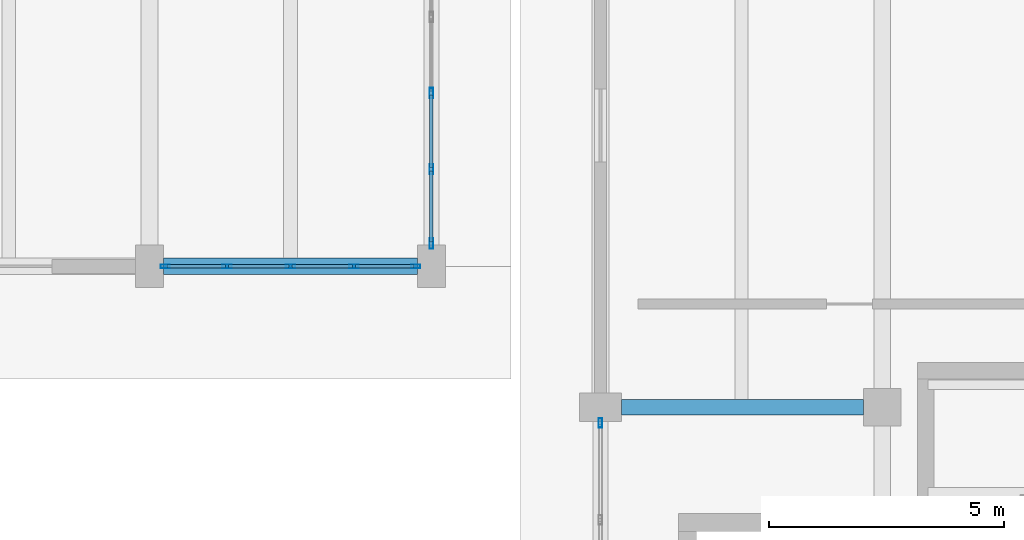
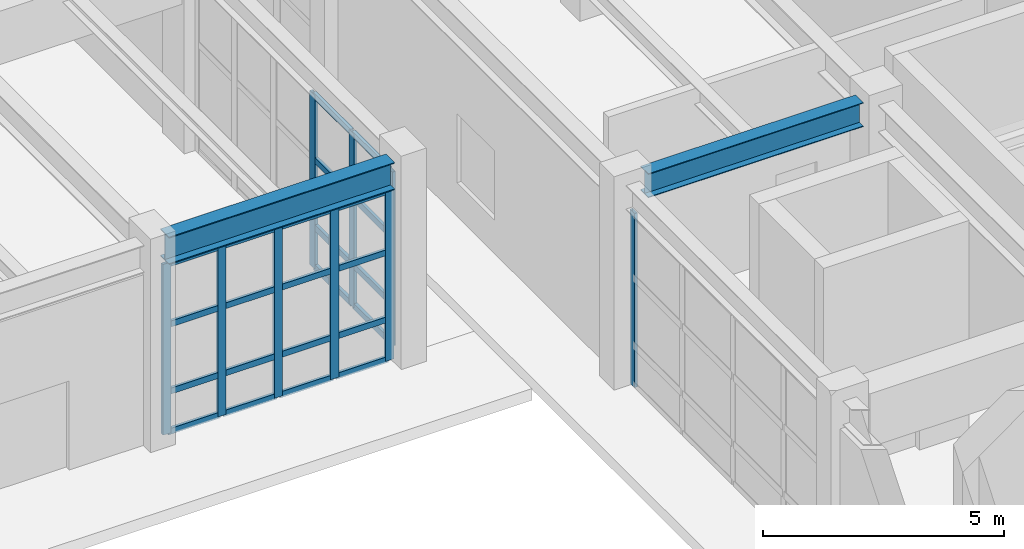
# One storey, part 10 of 91: 33 members, 2 beams, 3 elements without a shape of their own.
"""IFC4 building model written with IfcOpenShell, lengths in metres."""

from ifc_helpers import new_model, si_unit, direction, frame, origin, origin_2d, place, context, subcontext, project, spatial, hollow_rectangle, i_section, extrude, material, layer, layer_set, material_profile, profile_set, type_object, element, aggregate, save


model = new_model("IFC4")

# Units and contexts
model_context = context("Model", 3, precision=1e-05, world=origin(), true_north=direction((0.0, 1.0)))
body_context = subcontext(model_context, "Body", "Model", "MODEL_VIEW")
ifc_project = project(units=[si_unit("LENGTHUNIT", "METRE"), si_unit("AREAUNIT", "SQUARE_METRE"), si_unit("VOLUMEUNIT", "CUBIC_METRE"), si_unit("PLANEANGLEUNIT", "RADIAN"), si_unit("MASSUNIT", "GRAM", prefix="KILO")], contexts=[model_context])

# Site, building, storey
site_placement = place(None, origin())
site = spatial("IfcSite", under=ifc_project, at=site_placement, CompositionType="ELEMENT")
building_placement = place(site_placement, origin())
building = spatial("IfcBuilding", under=site, at=building_placement, Name="Vaelkrest Opera House", CompositionType="ELEMENT")
storey_placement = place(building_placement, origin())
storey = spatial("IfcBuildingStorey", under=building, at=storey_placement, Name="L00", CompositionType="ELEMENT", Elevation=0.0)

# Beam
ifc_material_1 = material(Name="Steel A992 Gr50", Category="steel")
ifc_material_profile_1 = material_profile(ifc_material_1, i_section(OverallWidth=0.323974609375, OverallDepth=0.611083984375, WebThickness=0.0126953125, FlangeThickness=0.01904296875, at=origin_2d()), Name="W24X104")
ifc_profile_set_1 = profile_set([ifc_material_profile_1], Name="Steel A992 Gr50")
beam_type_1 = type_object("IfcBeamType", Name="B08", PredefinedType="BEAM", material=ifc_profile_set_1)
beam_1_placement = place(storey_placement, frame((-29.550048828125, -19.800048828125, 4.7744140625), z_axis=(1.0, 0.0, 0.0), x_axis=(0.0, 1.0, 0.0)))
element("IfcBeam", 1, at=beam_1_placement, inside=storey, type_object=beam_type_1, Name="Beam BM-V1-L00-0113", PredefinedType="BEAM", context=body_context, shape_type="SweptSolid", body=[
    extrude(i_section(OverallWidth=0.323974609375, OverallDepth=0.611083984375, WebThickness=0.0126953125, FlangeThickness=0.01904296875, at=origin_2d()), origin(), (0.0, 0.0, 1.0), 5.150146484375),
])

# Curtain wall, member
ifc_material_2 = material(Name="Dark bronze anodized aluminium", Category="aluminium")
ifc_layer_1 = layer(ifc_material_2, 0.22998046875)
ifc_layer_set_1 = layer_set([ifc_layer_1], Name="Dark bronze anodized aluminium")
curtain_wall_type_1 = type_object("IfcCurtainWallType", Name="CW06", PredefinedType="NOTDEFINED", material=ifc_layer_set_1)
curtain_wall_1_placement = place(storey_placement, origin())
curtain_wall_1 = element("IfcCurtainWall", 2, at=curtain_wall_1_placement, inside=storey, type_object=curtain_wall_type_1, Name="Curtain wall CW-L00-014", PredefinedType="NOTDEFINED")
ifc_material_profile_2 = material_profile(ifc_material_2, hollow_rectangle(XDim=0.070068359375, YDim=0.199951171875, WallThickness=0.004150390625, at=origin_2d()), Name="CWM70X200")
ifc_profile_set_2 = profile_set([ifc_material_profile_2], Name="Dark bronze anodized aluminium")
member_type_1 = type_object("IfcMemberType", Name="CWM02", PredefinedType="MULLION", material=ifc_profile_set_2)
member_1_placement = place(storey_placement, frame((-30.0, -20.133056640625, 0.0), z_axis=(0.0, 0.0, 1.0), x_axis=(-1.0, 0.0, 0.0)))
member_1 = element("IfcMember", 3, at=member_1_placement, type_object=member_type_1, Name="CW06 mullion 5", PredefinedType="MULLION", context=body_context, shape_type="SweptSolid", body=[
    extrude(hollow_rectangle(XDim=0.070068359375, YDim=0.199951171875, WallThickness=0.004150390625, at=origin_2d()), origin(), (0.0, 0.0, 1.0), 4.404052734375),
])
aggregate(curtain_wall_1, [member_1])

# Curtain wall, members
ifc_layer_2 = layer(ifc_material_2, 0.18994140625)
ifc_layer_set_2 = layer_set([ifc_layer_2], Name="Dark bronze anodized aluminium")
curtain_wall_type_2 = type_object("IfcCurtainWallType", Name="CW02", PredefinedType="NOTDEFINED", material=ifc_layer_set_2)
curtain_wall_2_placement = place(storey_placement, origin())
curtain_wall_2 = element("IfcCurtainWall", 4, at=curtain_wall_2_placement, inside=storey, type_object=curtain_wall_type_2, Name="Curtain wall CW-L00-088", PredefinedType="NOTDEFINED")
member_2_placement = place(storey_placement, frame((-33.93310546875, -16.800048828125, 0.0), z_axis=(0.0, 0.0, 1.0), x_axis=(0.0, -1.0, 0.0)))
member_2 = element("IfcMember", 5, at=member_2_placement, type_object=member_type_1, Name="CW02 mullion 1", PredefinedType="MULLION", context=body_context, shape_type="SweptSolid", body=[
    extrude(hollow_rectangle(XDim=0.070068359375, YDim=0.199951171875, WallThickness=0.004150390625, at=origin_2d()), origin(), (0.0, 0.0, 1.0), 4.320068359375),
])
member_3_placement = place(storey_placement, frame((-35.2490234375, -16.800048828125, 0.0), z_axis=(0.0, 0.0, 1.0), x_axis=(0.0, -1.0, 0.0)))
member_3 = element("IfcMember", 6, at=member_3_placement, type_object=member_type_1, Name="CW02 mullion 2", PredefinedType="MULLION", context=body_context, shape_type="SweptSolid", body=[
    extrude(hollow_rectangle(XDim=0.070068359375, YDim=0.199951171875, WallThickness=0.004150390625, at=origin_2d()), origin(), (0.0, 0.0, 1.0), 4.320068359375),
])
member_4_placement = place(storey_placement, frame((-36.60009765625, -16.800048828125, 0.0), z_axis=(0.0, 0.0, 1.0), x_axis=(0.0, -1.0, 0.0)))
member_4 = element("IfcMember", 7, at=member_4_placement, type_object=member_type_1, Name="CW02 mullion 3", PredefinedType="MULLION", context=body_context, shape_type="SweptSolid", body=[
    extrude(hollow_rectangle(XDim=0.070068359375, YDim=0.199951171875, WallThickness=0.004150390625, at=origin_2d()), origin(), (0.0, 0.0, 1.0), 4.320068359375),
])
member_5_placement = place(storey_placement, frame((-37.950927734375, -16.800048828125, 0.0), z_axis=(0.0, 0.0, 1.0), x_axis=(0.0, -1.0, 0.0)))
member_5 = element("IfcMember", 8, at=member_5_placement, type_object=member_type_1, Name="CW02 mullion 4", PredefinedType="MULLION", context=body_context, shape_type="SweptSolid", body=[
    extrude(hollow_rectangle(XDim=0.070068359375, YDim=0.199951171875, WallThickness=0.004150390625, at=origin_2d()), origin(), (0.0, 0.0, 1.0), 4.320068359375),
])
member_6_placement = place(storey_placement, frame((-39.26708984375, -16.800048828125, 0.0), z_axis=(0.0, 0.0, 1.0), x_axis=(0.0, -1.0, 0.0)))
member_6 = element("IfcMember", 9, at=member_6_placement, type_object=member_type_1, Name="CW02 mullion 5", PredefinedType="MULLION", context=body_context, shape_type="SweptSolid", body=[
    extrude(hollow_rectangle(XDim=0.070068359375, YDim=0.199951171875, WallThickness=0.004150390625, at=origin_2d()), origin(), (0.0, 0.0, 1.0), 4.320068359375),
])

ifc_layer_3 = layer(ifc_material_2, 0.199951171875)
ifc_layer_set_3 = layer_set([ifc_layer_3], Name="Dark bronze anodized aluminium")
curtain_wall_type_3 = type_object("IfcCurtainWallType", Name="CW03", PredefinedType="NOTDEFINED", material=ifc_layer_set_3)
curtain_wall_3_placement = place(storey_placement, origin())
curtain_wall_3 = element("IfcCurtainWall", 10, at=curtain_wall_3_placement, inside=storey, type_object=curtain_wall_type_3, Name="Curtain wall CW-L00-098", PredefinedType="NOTDEFINED")
ifc_material_profile_3 = material_profile(ifc_material_2, hollow_rectangle(XDim=0.074951171875, YDim=0.219970703125, WallThickness=0.00439453125, at=origin_2d()), Name="CWM75X220")
ifc_profile_set_3 = profile_set([ifc_material_profile_3], Name="Dark bronze anodized aluminium")
member_type_2 = type_object("IfcMemberType", Name="CWM03", PredefinedType="MULLION", material=ifc_profile_set_3)
member_7_placement = place(storey_placement, frame((-33.60009765625, -13.1103515625, 0.0), z_axis=(0.0, 0.0, 1.0), x_axis=(1.0, 0.0, 0.0)))
member_7 = element("IfcMember", 11, at=member_7_placement, type_object=member_type_2, Name="CW03 mullion 4", PredefinedType="MULLION", context=body_context, shape_type="SweptSolid", body=[
    extrude(hollow_rectangle(XDim=0.074951171875, YDim=0.219970703125, WallThickness=0.00439453125, at=origin_2d()), origin(), (0.0, 0.0, 1.0), 4.404052734375),
])
member_8_placement = place(storey_placement, frame((-33.60009765625, -14.731201171875, 0.0), z_axis=(0.0, 0.0, 1.0), x_axis=(1.0, 0.0, 0.0)))
member_8 = element("IfcMember", 12, at=member_8_placement, type_object=member_type_2, Name="CW03 mullion 5", PredefinedType="MULLION", context=body_context, shape_type="SweptSolid", body=[
    extrude(hollow_rectangle(XDim=0.074951171875, YDim=0.219970703125, WallThickness=0.00439453125, at=origin_2d()), origin(), (0.0, 0.0, 1.0), 4.404052734375),
])
member_9_placement = place(storey_placement, frame((-33.60009765625, -16.314453125, 0.0), z_axis=(0.0, 0.0, 1.0), x_axis=(1.0, 0.0, 0.0)))
member_9 = element("IfcMember", 13, at=member_9_placement, type_object=member_type_2, Name="CW03 mullion 6", PredefinedType="MULLION", context=body_context, shape_type="SweptSolid", body=[
    extrude(hollow_rectangle(XDim=0.074951171875, YDim=0.219970703125, WallThickness=0.00439453125, at=origin_2d()), origin(), (0.0, 0.0, 1.0), 4.404052734375),
])

# Member
ifc_material_profile_4 = material_profile(ifc_material_2, hollow_rectangle(XDim=0.070068359375, YDim=0.14990234375, WallThickness=0.004150390625, at=origin_2d()), Name="CWT70X150")
ifc_profile_set_4 = profile_set([ifc_material_profile_4], Name="Dark bronze anodized aluminium")
member_type_3 = type_object("IfcMemberType", Name="CWT02", PredefinedType="USERDEFINED", material=ifc_profile_set_4)
member_10_placement = place(storey_placement, frame((-33.968017578125, -16.800048828125, 0.034912109375), z_axis=(-1.0, 0.0, 0.0), x_axis=(0.0, -1.0, 0.0)))
member_10 = element("IfcMember", 14, at=member_10_placement, type_object=member_type_3, Name="CW02 transom 1.1", ObjectType="TRANSOM", PredefinedType="USERDEFINED", context=body_context, shape_type="SweptSolid", body=[
    extrude(hollow_rectangle(XDim=0.070068359375, YDim=0.14990234375, WallThickness=0.004150390625, at=origin_2d()), origin(), (0.0, 0.0, 1.0), 1.24609375),
])

member_11_placement = place(storey_placement, frame((-33.968017578125, -16.800048828125, 1.050048828125), z_axis=(-1.0, 0.0, 0.0), x_axis=(0.0, -1.0, 0.0)))
member_11 = element("IfcMember", 15, at=member_11_placement, type_object=member_type_3, Name="CW02 transom 1.2", ObjectType="TRANSOM", PredefinedType="USERDEFINED", context=body_context, shape_type="SweptSolid", body=[
    extrude(hollow_rectangle(XDim=0.070068359375, YDim=0.14990234375, WallThickness=0.004150390625, at=origin_2d()), origin(), (0.0, 0.0, 1.0), 1.24609375),
])

member_12_placement = place(storey_placement, frame((-33.968017578125, -16.800048828125, 2.75), z_axis=(-1.0, 0.0, 0.0), x_axis=(0.0, -1.0, 0.0)))
member_12 = element("IfcMember", 16, at=member_12_placement, type_object=member_type_3, Name="CW02 transom 1.3", ObjectType="TRANSOM", PredefinedType="USERDEFINED", context=body_context, shape_type="SweptSolid", body=[
    extrude(hollow_rectangle(XDim=0.070068359375, YDim=0.14990234375, WallThickness=0.004150390625, at=origin_2d()), origin(), (0.0, 0.0, 1.0), 1.24609375),
])

member_13_placement = place(storey_placement, frame((-33.968017578125, -16.800048828125, 4.284912109375), z_axis=(-1.0, 0.0, 0.0), x_axis=(0.0, -1.0, 0.0)))
member_13 = element("IfcMember", 17, at=member_13_placement, type_object=member_type_3, Name="CW02 transom 1.4", ObjectType="TRANSOM", PredefinedType="USERDEFINED", context=body_context, shape_type="SweptSolid", body=[
    extrude(hollow_rectangle(XDim=0.070068359375, YDim=0.14990234375, WallThickness=0.004150390625, at=origin_2d()), origin(), (0.0, 0.0, 1.0), 1.24609375),
])

member_14_placement = place(storey_placement, frame((-35.283935546875, -16.800048828125, 0.034912109375), z_axis=(-1.0, 0.0, 0.0), x_axis=(0.0, -1.0, 0.0)))
member_14 = element("IfcMember", 18, at=member_14_placement, type_object=member_type_3, Name="CW02 transom 2.1", ObjectType="TRANSOM", PredefinedType="USERDEFINED", context=body_context, shape_type="SweptSolid", body=[
    extrude(hollow_rectangle(XDim=0.070068359375, YDim=0.14990234375, WallThickness=0.004150390625, at=origin_2d()), origin(), (0.0, 0.0, 1.0), 1.281005859375),
])

member_15_placement = place(storey_placement, frame((-35.283935546875, -16.800048828125, 1.050048828125), z_axis=(-1.0, 0.0, 0.0), x_axis=(0.0, -1.0, 0.0)))
member_15 = element("IfcMember", 19, at=member_15_placement, type_object=member_type_3, Name="CW02 transom 2.2", ObjectType="TRANSOM", PredefinedType="USERDEFINED", context=body_context, shape_type="SweptSolid", body=[
    extrude(hollow_rectangle(XDim=0.070068359375, YDim=0.14990234375, WallThickness=0.004150390625, at=origin_2d()), origin(), (0.0, 0.0, 1.0), 1.281005859375),
])

member_16_placement = place(storey_placement, frame((-35.283935546875, -16.800048828125, 2.75), z_axis=(-1.0, 0.0, 0.0), x_axis=(0.0, -1.0, 0.0)))
member_16 = element("IfcMember", 20, at=member_16_placement, type_object=member_type_3, Name="CW02 transom 2.3", ObjectType="TRANSOM", PredefinedType="USERDEFINED", context=body_context, shape_type="SweptSolid", body=[
    extrude(hollow_rectangle(XDim=0.070068359375, YDim=0.14990234375, WallThickness=0.004150390625, at=origin_2d()), origin(), (0.0, 0.0, 1.0), 1.281005859375),
])

member_17_placement = place(storey_placement, frame((-35.283935546875, -16.800048828125, 4.284912109375), z_axis=(-1.0, 0.0, 0.0), x_axis=(0.0, -1.0, 0.0)))
member_17 = element("IfcMember", 21, at=member_17_placement, type_object=member_type_3, Name="CW02 transom 2.4", ObjectType="TRANSOM", PredefinedType="USERDEFINED", context=body_context, shape_type="SweptSolid", body=[
    extrude(hollow_rectangle(XDim=0.070068359375, YDim=0.14990234375, WallThickness=0.004150390625, at=origin_2d()), origin(), (0.0, 0.0, 1.0), 1.281005859375),
])

member_18_placement = place(storey_placement, frame((-36.635009765625, -16.800048828125, 0.034912109375), z_axis=(-1.0, 0.0, 0.0), x_axis=(0.0, -1.0, 0.0)))
member_18 = element("IfcMember", 22, at=member_18_placement, type_object=member_type_3, Name="CW02 transom 3.1", ObjectType="TRANSOM", PredefinedType="USERDEFINED", context=body_context, shape_type="SweptSolid", body=[
    extrude(hollow_rectangle(XDim=0.070068359375, YDim=0.14990234375, WallThickness=0.004150390625, at=origin_2d()), origin(), (0.0, 0.0, 1.0), 1.281005859375),
])

member_19_placement = place(storey_placement, frame((-36.635009765625, -16.800048828125, 1.050048828125), z_axis=(-1.0, 0.0, 0.0), x_axis=(0.0, -1.0, 0.0)))
member_19 = element("IfcMember", 23, at=member_19_placement, type_object=member_type_3, Name="CW02 transom 3.2", ObjectType="TRANSOM", PredefinedType="USERDEFINED", context=body_context, shape_type="SweptSolid", body=[
    extrude(hollow_rectangle(XDim=0.070068359375, YDim=0.14990234375, WallThickness=0.004150390625, at=origin_2d()), origin(), (0.0, 0.0, 1.0), 1.281005859375),
])

member_20_placement = place(storey_placement, frame((-36.635009765625, -16.800048828125, 2.75), z_axis=(-1.0, 0.0, 0.0), x_axis=(0.0, -1.0, 0.0)))
member_20 = element("IfcMember", 24, at=member_20_placement, type_object=member_type_3, Name="CW02 transom 3.3", ObjectType="TRANSOM", PredefinedType="USERDEFINED", context=body_context, shape_type="SweptSolid", body=[
    extrude(hollow_rectangle(XDim=0.070068359375, YDim=0.14990234375, WallThickness=0.004150390625, at=origin_2d()), origin(), (0.0, 0.0, 1.0), 1.281005859375),
])

member_21_placement = place(storey_placement, frame((-36.635009765625, -16.800048828125, 4.284912109375), z_axis=(-1.0, 0.0, 0.0), x_axis=(0.0, -1.0, 0.0)))
member_21 = element("IfcMember", 25, at=member_21_placement, type_object=member_type_3, Name="CW02 transom 3.4", ObjectType="TRANSOM", PredefinedType="USERDEFINED", context=body_context, shape_type="SweptSolid", body=[
    extrude(hollow_rectangle(XDim=0.070068359375, YDim=0.14990234375, WallThickness=0.004150390625, at=origin_2d()), origin(), (0.0, 0.0, 1.0), 1.281005859375),
])

member_22_placement = place(storey_placement, frame((-37.986083984375, -16.800048828125, 0.034912109375), z_axis=(-1.0, 0.0, 0.0), x_axis=(0.0, -1.0, 0.0)))
member_22 = element("IfcMember", 26, at=member_22_placement, type_object=member_type_3, Name="CW02 transom 4.1", ObjectType="TRANSOM", PredefinedType="USERDEFINED", context=body_context, shape_type="SweptSolid", body=[
    extrude(hollow_rectangle(XDim=0.070068359375, YDim=0.14990234375, WallThickness=0.004150390625, at=origin_2d()), origin(), (0.0, 0.0, 1.0), 1.245849609375),
])

member_23_placement = place(storey_placement, frame((-37.986083984375, -16.800048828125, 1.050048828125), z_axis=(-1.0, 0.0, 0.0), x_axis=(0.0, -1.0, 0.0)))
member_23 = element("IfcMember", 27, at=member_23_placement, type_object=member_type_3, Name="CW02 transom 4.2", ObjectType="TRANSOM", PredefinedType="USERDEFINED", context=body_context, shape_type="SweptSolid", body=[
    extrude(hollow_rectangle(XDim=0.070068359375, YDim=0.14990234375, WallThickness=0.004150390625, at=origin_2d()), origin(), (0.0, 0.0, 1.0), 1.245849609375),
])

member_24_placement = place(storey_placement, frame((-37.986083984375, -16.800048828125, 2.75), z_axis=(-1.0, 0.0, 0.0), x_axis=(0.0, -1.0, 0.0)))
member_24 = element("IfcMember", 28, at=member_24_placement, type_object=member_type_3, Name="CW02 transom 4.3", ObjectType="TRANSOM", PredefinedType="USERDEFINED", context=body_context, shape_type="SweptSolid", body=[
    extrude(hollow_rectangle(XDim=0.070068359375, YDim=0.14990234375, WallThickness=0.004150390625, at=origin_2d()), origin(), (0.0, 0.0, 1.0), 1.245849609375),
])

member_25_placement = place(storey_placement, frame((-37.986083984375, -16.800048828125, 4.284912109375), z_axis=(-1.0, 0.0, 0.0), x_axis=(0.0, -1.0, 0.0)))
member_25 = element("IfcMember", 29, at=member_25_placement, type_object=member_type_3, Name="CW02 transom 4.4", ObjectType="TRANSOM", PredefinedType="USERDEFINED", context=body_context, shape_type="SweptSolid", body=[
    extrude(hollow_rectangle(XDim=0.070068359375, YDim=0.14990234375, WallThickness=0.004150390625, at=origin_2d()), origin(), (0.0, 0.0, 1.0), 1.245849609375),
])

aggregate(curtain_wall_2, [member_2, member_3, member_4, member_5, member_6, member_10, member_11, member_12, member_13, member_14, member_15, member_16, member_17, member_18, member_19, member_20, member_21, member_22, member_23, member_24, member_25])

ifc_material_profile_5 = material_profile(ifc_material_2, hollow_rectangle(XDim=0.074951171875, YDim=0.159912109375, WallThickness=0.00439453125, at=origin_2d()), Name="CWT75X160")
ifc_profile_set_5 = profile_set([ifc_material_profile_5], Name="Dark bronze anodized aluminium")
member_type_4 = type_object("IfcMemberType", Name="CWT03", PredefinedType="USERDEFINED", material=ifc_profile_set_5)
member_26_placement = place(storey_placement, frame((-33.60009765625, -13.14794921875, 0.03759765625), z_axis=(0.0, -1.0, 0.0), x_axis=(1.0, 0.0, 0.0)))
member_26 = element("IfcMember", 30, at=member_26_placement, type_object=member_type_4, Name="CW03 transom 4.1", ObjectType="TRANSOM", PredefinedType="USERDEFINED", context=body_context, shape_type="SweptSolid", body=[
    extrude(hollow_rectangle(XDim=0.074951171875, YDim=0.159912109375, WallThickness=0.00439453125, at=origin_2d()), origin(), (0.0, 0.0, 1.0), 1.545654296875),
])

member_27_placement = place(storey_placement, frame((-33.60009765625, -13.14794921875, 1.050048828125), z_axis=(0.0, -1.0, 0.0), x_axis=(1.0, 0.0, 0.0)))
member_27 = element("IfcMember", 31, at=member_27_placement, type_object=member_type_4, Name="CW03 transom 4.2", ObjectType="TRANSOM", PredefinedType="USERDEFINED", context=body_context, shape_type="SweptSolid", body=[
    extrude(hollow_rectangle(XDim=0.074951171875, YDim=0.159912109375, WallThickness=0.00439453125, at=origin_2d()), origin(), (0.0, 0.0, 1.0), 1.545654296875),
])

member_28_placement = place(storey_placement, frame((-33.60009765625, -13.14794921875, 2.75), z_axis=(0.0, -1.0, 0.0), x_axis=(1.0, 0.0, 0.0)))
member_28 = element("IfcMember", 32, at=member_28_placement, type_object=member_type_4, Name="CW03 transom 4.3", ObjectType="TRANSOM", PredefinedType="USERDEFINED", context=body_context, shape_type="SweptSolid", body=[
    extrude(hollow_rectangle(XDim=0.074951171875, YDim=0.159912109375, WallThickness=0.00439453125, at=origin_2d()), origin(), (0.0, 0.0, 1.0), 1.545654296875),
])

member_29_placement = place(storey_placement, frame((-33.60009765625, -13.14794921875, 4.366455078125), z_axis=(0.0, -1.0, 0.0), x_axis=(1.0, 0.0, 0.0)))
member_29 = element("IfcMember", 33, at=member_29_placement, type_object=member_type_4, Name="CW03 transom 4.4", ObjectType="TRANSOM", PredefinedType="USERDEFINED", context=body_context, shape_type="SweptSolid", body=[
    extrude(hollow_rectangle(XDim=0.074951171875, YDim=0.159912109375, WallThickness=0.00439453125, at=origin_2d()), origin(), (0.0, 0.0, 1.0), 1.545654296875),
])

member_30_placement = place(storey_placement, frame((-33.60009765625, -14.768798828125, 0.03759765625), z_axis=(0.0, -1.0, 0.0), x_axis=(1.0, 0.0, 0.0)))
member_30 = element("IfcMember", 34, at=member_30_placement, type_object=member_type_4, Name="CW03 transom 5.1", ObjectType="TRANSOM", PredefinedType="USERDEFINED", context=body_context, shape_type="SweptSolid", body=[
    extrude(hollow_rectangle(XDim=0.074951171875, YDim=0.159912109375, WallThickness=0.00439453125, at=origin_2d()), origin(), (0.0, 0.0, 1.0), 1.50830078125),
])

member_31_placement = place(storey_placement, frame((-33.60009765625, -14.768798828125, 1.050048828125), z_axis=(0.0, -1.0, 0.0), x_axis=(1.0, 0.0, 0.0)))
member_31 = element("IfcMember", 35, at=member_31_placement, type_object=member_type_4, Name="CW03 transom 5.2", ObjectType="TRANSOM", PredefinedType="USERDEFINED", context=body_context, shape_type="SweptSolid", body=[
    extrude(hollow_rectangle(XDim=0.074951171875, YDim=0.159912109375, WallThickness=0.00439453125, at=origin_2d()), origin(), (0.0, 0.0, 1.0), 1.50830078125),
])

member_32_placement = place(storey_placement, frame((-33.60009765625, -14.768798828125, 2.75), z_axis=(0.0, -1.0, 0.0), x_axis=(1.0, 0.0, 0.0)))
member_32 = element("IfcMember", 36, at=member_32_placement, type_object=member_type_4, Name="CW03 transom 5.3", ObjectType="TRANSOM", PredefinedType="USERDEFINED", context=body_context, shape_type="SweptSolid", body=[
    extrude(hollow_rectangle(XDim=0.074951171875, YDim=0.159912109375, WallThickness=0.00439453125, at=origin_2d()), origin(), (0.0, 0.0, 1.0), 1.50830078125),
])

member_33_placement = place(storey_placement, frame((-33.60009765625, -14.768798828125, 4.366455078125), z_axis=(0.0, -1.0, 0.0), x_axis=(1.0, 0.0, 0.0)))
member_33 = element("IfcMember", 37, at=member_33_placement, type_object=member_type_4, Name="CW03 transom 5.4", ObjectType="TRANSOM", PredefinedType="USERDEFINED", context=body_context, shape_type="SweptSolid", body=[
    extrude(hollow_rectangle(XDim=0.074951171875, YDim=0.159912109375, WallThickness=0.00439453125, at=origin_2d()), origin(), (0.0, 0.0, 1.0), 1.50830078125),
])

aggregate(curtain_wall_3, [member_7, member_8, member_9, member_26, member_27, member_28, member_29, member_30, member_31, member_32, member_33])

# Beam
ifc_material_profile_6 = material_profile(ifc_material_1, i_section(OverallWidth=0.35498046875, OverallDepth=0.695068359375, WebThickness=0.015380859375, FlangeThickness=0.02490234375, at=origin_2d()), Name="W27X146")
ifc_profile_set_6 = profile_set([ifc_material_profile_6], Name="Steel A992 Gr50")
beam_type_2 = type_object("IfcBeamType", Name="SP02", PredefinedType="SPANDREL", material=ifc_profile_set_6)
beam_2_placement = place(storey_placement, frame((-39.300048828125, -16.800048828125, 4.732421875), z_axis=(1.0, 0.0, 0.0), x_axis=(0.0, 1.0, 0.0)))
element("IfcBeam", 38, at=beam_2_placement, inside=storey, type_object=beam_type_2, Name="Beam BM-V3-L00-1386", PredefinedType="SPANDREL", context=body_context, shape_type="SweptSolid", body=[
    extrude(i_section(OverallWidth=0.35498046875, OverallDepth=0.695068359375, WebThickness=0.015380859375, FlangeThickness=0.02490234375, at=origin_2d()), origin(), (0.0, 0.0, 1.0), 5.400146484375),
])

save(model, "model.ifc")
